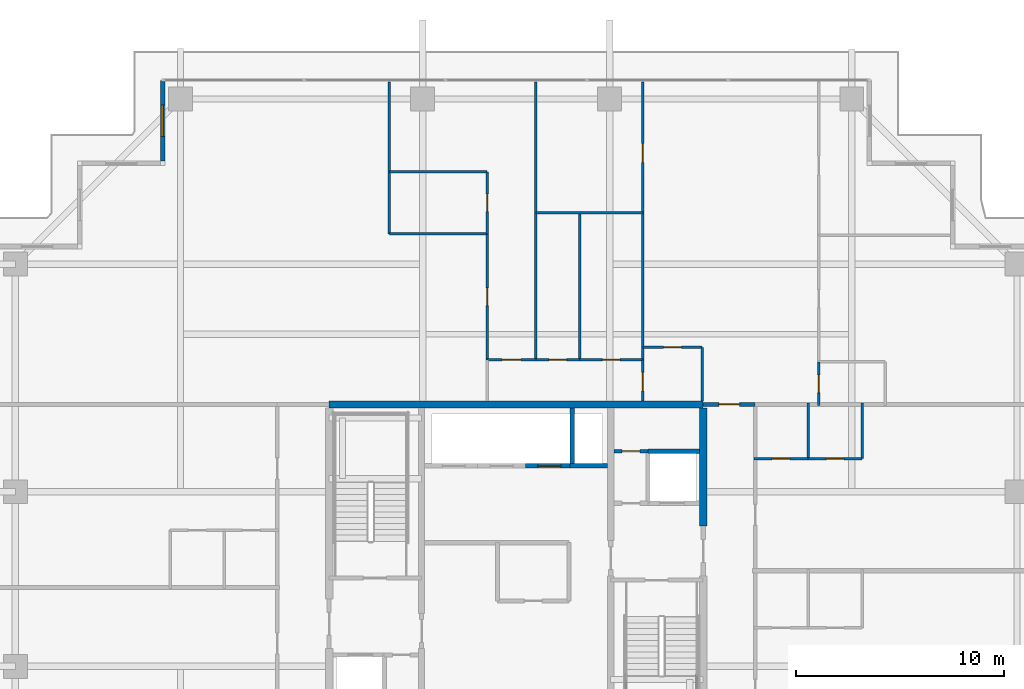
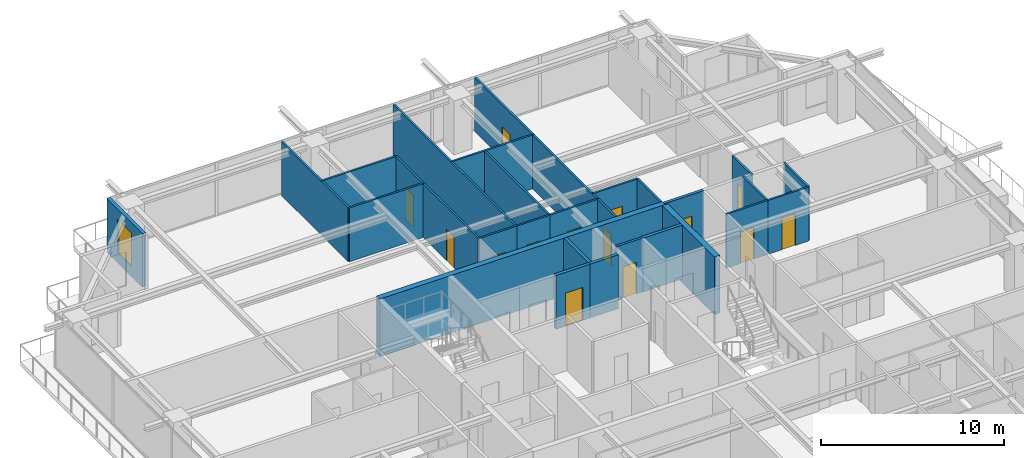
# One storey, part 29 of 37: 30 walls, 14 doors, 1 window, 15 openings.
"""IFC4 building model written with IfcOpenShell, lengths in metres."""

from ifc_helpers import new_model, si_unit, direction, frame, frame_2d, origin, place, context, subcontext, project, spatial, rectangle, extrude, source, transform, mapped, material, layer, layer_set, type_object, element, fill, save


model = new_model("IFC4")

# Units and contexts
model_context = context("Model", 3, precision=1e-05, world=origin(), true_north=direction((0.0, 1.0)))
body_context = subcontext(model_context, "Body", "Model", "MODEL_VIEW")
ifc_project = project(units=[si_unit("LENGTHUNIT", "METRE"), si_unit("AREAUNIT", "SQUARE_METRE"), si_unit("VOLUMEUNIT", "CUBIC_METRE"), si_unit("PLANEANGLEUNIT", "RADIAN"), si_unit("MASSUNIT", "GRAM", prefix="KILO")], contexts=[model_context])

# Site, building, storey
site_placement = place(None, origin())
site = spatial("IfcSite", under=ifc_project, at=site_placement, CompositionType="ELEMENT")
building_placement = place(site_placement, origin())
building = spatial("IfcBuilding", under=site, at=building_placement, Name="Serunith Strait Residences", CompositionType="ELEMENT")
storey_placement = place(building_placement, frame((0.0, 0.0, 260.5)))
storey = spatial("IfcBuildingStorey", under=building, at=storey_placement, Name="L65", CompositionType="ELEMENT", Elevation=260.5)

# Wall, opening, window
ifc_material_1 = material(Name="Pale-Champagne Aluminium Insulated Panel", Category="aluminium")
ifc_layer_1 = layer(ifc_material_1, 0.219970703125, Name="Pale-Champagne Aluminium Insulated Panel")
ifc_layer_set_1 = layer_set([ifc_layer_1], Name="Pale-Champagne Aluminium Insulated Panel")
wall_type_1 = type_object("IfcWallType", Name="EW-ALUM-220", PredefinedType="ELEMENTEDWALL", material=ifc_layer_set_1)
wall_1_placement = place(storey_placement, frame((15.39990234375, 49.199951171875, 0.0), z_axis=(0.0, 0.0, 1.0), x_axis=(0.0, -1.0, 0.0)))
wall_1 = element("IfcWall", 1, at=wall_1_placement, inside=storey, type_object=wall_type_1, Name="L65 Girih Serrated Corner Wall 12", PredefinedType="ELEMENTEDWALL", context=body_context, shape_type="SweptSolid", body=[
    extrude(rectangle(XDim=3.889892578125, YDim=0.219970703125, at=frame_2d((1.94482421875, 0.0))), origin(), (0.0, 0.0, 1.0), 3.574951171875),
])
opening_1_placement = place(wall_1_placement, frame((1.195068359375, 0.0, 0.64990234375)))
opening_1 = element("IfcOpeningElement", 2, at=opening_1_placement, cuts=wall_1, Name="Opening W-05", PredefinedType="OPENING", context=body_context, shape_type="SweptSolid", body=[
    extrude(rectangle(XDim=1.5, YDim=2.25, at=frame_2d((0.75, 1.125))), frame((0.0, 0.1201171875, 0.0), z_axis=(0.0, -1.0, 0.0), x_axis=(1.0, 0.0, 0.0)), (0.0, 0.0, 1.0), 0.239990234375),
])
ifc_material_2 = material(Name="Ceramic-Fritted Operable Aluminium Window Glass", Category="aluminium")
window_type = type_object("IfcWindowType", Name="WIN-C5", PartitioningType="DOUBLE_PANEL_VERTICAL", PredefinedType="WINDOW", material=ifc_material_2)
shared_shape_1 = source(origin(), body_context, "Body", "SweptSolid", [
    extrude(rectangle(XDim=1.5, YDim=2.25, at=frame_2d((0.75, 1.125))), frame((0.0, 0.030029296875, 0.0), z_axis=(0.0, -1.0, 0.0), x_axis=(1.0, 0.0, 0.0)), (0.0, 0.0, 1.0), 0.06005859375),
])
window_placement = place(opening_1_placement, origin())
window = element("IfcWindow", 3, at=window_placement, inside=storey, type_object=window_type, Name="L65 Corner Operable Fritted Window 12", OverallHeight=2.25, OverallWidth=1.5, PartitioningType="SINGLE_PANEL", PredefinedType="WINDOW", context=body_context, shape_type="MappedRepresentation", body=[
    mapped(shared_shape_1, transform((0.0, 0.0, 0.0), scale=1.0)),
])
fill(opening_1, window)

# Wall, opening, door
ifc_material_3 = material(Name="Fire-rated masonry service closet wall", Category="masonry")
ifc_layer_2 = layer(ifc_material_3, 0.14990234375, Name="Fire-rated masonry service closet wall")
ifc_layer_set_2 = layer_set([ifc_layer_2], Name="Fire-rated masonry service closet wall")
wall_type_2 = type_object("IfcWallType", Name="IW-BOH-150", PredefinedType="PARTITIONING", material=ifc_layer_set_2)
wall_2_placement = place(storey_placement, frame((37.10009765625, 31.35009765625, 0.0), z_axis=(0.0, 0.0, 1.0), x_axis=(1.0, 0.0, 0.0)))
wall_2 = element("IfcWall", 4, at=wall_2_placement, inside=storey, type_object=wall_type_2, Name="L65 Partition Wall 011", PredefinedType="PARTITIONING", context=body_context, shape_type="SweptSolid", body=[
    extrude(rectangle(XDim=1.64794921875, YDim=0.14990234375, at=frame_2d((0.823974609375, 0.0))), origin(), (0.0, 0.0, 1.0), 3.590087890625),
])
opening_2_placement = place(wall_2_placement, frame((0.39892578125, 0.0, 0.0)))
opening_2 = element("IfcOpeningElement", 5, at=opening_2_placement, cuts=wall_2, Name="Opening FD-850", PredefinedType="OPENING", context=body_context, shape_type="SweptSolid", body=[
    extrude(rectangle(XDim=0.85009765625, YDim=2.10009765625, at=frame_2d((0.425048828125, 1.050048828125))), frame((0.0, 0.0849609375, 0.0), z_axis=(0.0, -1.0, 0.0), x_axis=(1.0, 0.0, 0.0)), (0.0, 0.0, 1.0), 0.169921875),
])
ifc_material_4 = material(Name="Powder-coated steel service closet door", Category="steel")
door_type_1 = type_object("IfcDoorType", Name="FD-BOH-850", OperationType="NOTDEFINED", PredefinedType="DOOR", material=ifc_material_4)
shared_shape_2 = source(origin(), body_context, "Body", "SweptSolid", [
    extrude(rectangle(XDim=0.85009765625, YDim=2.10009765625, at=frame_2d((0.425048828125, 1.050048828125))), frame((0.0, 0.02490234375, 0.0), z_axis=(0.0, -1.0, 0.0), x_axis=(1.0, 0.0, 0.0)), (0.0, 0.0, 1.0), 0.050048828125),
])
door_1_placement = place(opening_2_placement, origin())
door_1 = element("IfcDoor", 6, at=door_1_placement, inside=storey, type_object=door_type_1, Name="L65 Spare Parts Store Door", OperationType="SINGLE_SWING_RIGHT", OverallHeight=2.10009765625, OverallWidth=0.85009765625, PredefinedType="DOOR", context=body_context, shape_type="MappedRepresentation", body=[
    mapped(shared_shape_2, transform((0.0, 0.0, 0.0), scale=1.0)),
])
fill(opening_2, door_1)

ifc_material_5 = material(Name="Fire-rated acoustic gypsum partition")
ifc_layer_3 = layer(ifc_material_5, 0.179931640625, Name="Fire-rated acoustic gypsum partition")
ifc_layer_set_3 = layer_set([ifc_layer_3], Name="Fire-rated acoustic gypsum partition")
wall_type_3 = type_object("IfcWallType", Name="IW-CORR-180", PredefinedType="PARTITIONING", material=ifc_layer_set_3)
wall_3_placement = place(storey_placement, frame((41.402099609375, 33.60009765625, 0.0), z_axis=(0.0, 0.0, 1.0), x_axis=(1.0, 0.0, 0.0)))
wall_3 = element("IfcWall", 7, at=wall_3_placement, inside=storey, type_object=wall_type_3, Name="L65 Partition Wall 030", PredefinedType="PARTITIONING", context=body_context, shape_type="SweptSolid", body=[
    extrude(rectangle(XDim=2.495849609375, YDim=0.179931640625, at=frame_2d((1.248046875, 0.0))), origin(), (0.0, 0.0, 1.0), 3.590087890625),
])
opening_3_placement = place(wall_3_placement, frame((0.748046875, 0.0, 0.0)))
opening_3 = element("IfcOpeningElement", 8, at=opening_3_placement, cuts=wall_3, Name="Opening D-APT1000", PredefinedType="OPENING", context=body_context, shape_type="SweptSolid", body=[
    extrude(rectangle(XDim=1.0, YDim=2.14990234375, at=frame_2d((0.5, 1.074951171875))), frame((0.0, 0.10009765625, 0.0), z_axis=(0.0, -1.0, 0.0), x_axis=(1.0, 0.0, 0.0)), (0.0, 0.0, 1.0), 0.199951171875),
])
ifc_material_6 = material(Name="Solid timber engineered fire door", Category="wood")
door_type_2 = type_object("IfcDoorType", Name="ID-APT-1000", OperationType="NOTDEFINED", PredefinedType="DOOR", material=ifc_material_6)
shared_shape_3 = source(origin(), body_context, "Body", "SweptSolid", [
    extrude(rectangle(XDim=1.0, YDim=2.14990234375, at=frame_2d((0.5, 1.074951171875))), frame((0.0, 0.02490234375, 0.0), z_axis=(0.0, -1.0, 0.0), x_axis=(1.0, 0.0, 0.0)), (0.0, 0.0, 1.0), 0.050048828125),
])
door_2_placement = place(opening_3_placement, origin())
door_2 = element("IfcDoor", 9, at=door_2_placement, inside=storey, type_object=door_type_2, Name="L65 Unit 03 Entrance Door", OperationType="SINGLE_SWING_RIGHT", OverallHeight=2.14990234375, OverallWidth=1.0, PredefinedType="DOOR", context=body_context, shape_type="MappedRepresentation", body=[
    mapped(shared_shape_3, transform((0.0, 0.0, 0.0), scale=1.0)),
])
fill(opening_3, door_2)

ifc_material_7 = material(Name="Lightweight steel-stud gypsum partition", Category="steel")
ifc_layer_4 = layer(ifc_material_7, 0.1201171875, Name="Lightweight steel-stud gypsum partition")
ifc_layer_set_4 = layer_set([ifc_layer_4], Name="Lightweight steel-stud gypsum partition")
wall_type_4 = type_object("IfcWallType", Name="IW-PART-120", PredefinedType="PARTITIONING", material=ifc_layer_set_4)
wall_4_placement = place(storey_placement, frame((38.5, 36.35009765625, 0.0), z_axis=(0.0, 0.0, 1.0), x_axis=(1.0, 0.0, 0.0)))
wall_4 = element("IfcWall", 10, at=wall_4_placement, inside=storey, type_object=wall_type_4, Name="L65 Partition Wall 059", PredefinedType="PARTITIONING", context=body_context, shape_type="SweptSolid", body=[
    extrude(rectangle(XDim=2.85009765625, YDim=0.1201171875, at=frame_2d((1.425048828125, 0.0))), origin(), (0.0, 0.0, 1.0), 3.590087890625),
])
opening_4_placement = place(wall_4_placement, frame((1.0, 0.0, 0.0)))
opening_4 = element("IfcOpeningElement", 11, at=opening_4_placement, cuts=wall_4, Name="Opening D-RM850", PredefinedType="OPENING", context=body_context, shape_type="SweptSolid", body=[
    extrude(rectangle(XDim=0.85009765625, YDim=2.10009765625, at=frame_2d((0.425048828125, 1.050048828125))), frame((0.0, 0.070068359375, 0.0), z_axis=(0.0, -1.0, 0.0), x_axis=(1.0, 0.0, 0.0)), (0.0, 0.0, 1.0), 0.14013671875),
])
ifc_material_8 = material(Name="Engineered timber flush study and kitchen door", Category="wood")
door_type_3 = type_object("IfcDoorType", Name="ID-ROOM-850", OperationType="NOTDEFINED", PredefinedType="DOOR", material=ifc_material_8)
door_3_placement = place(opening_4_placement, origin())
door_3 = element("IfcDoor", 12, at=door_3_placement, inside=storey, type_object=door_type_3, Name="L65 Kitchen 6503 Door", OperationType="SINGLE_SWING_LEFT", OverallHeight=2.10009765625, OverallWidth=0.85009765625, PredefinedType="DOOR", context=body_context, shape_type="MappedRepresentation", body=[
    mapped(shared_shape_2, transform((0.0, 0.0, 0.0), scale=1.0)),
])
fill(opening_4, door_3)

# Wall
wall_5_placement = place(storey_placement, frame((41.35009765625, 36.35009765625, 0.0), z_axis=(0.0, 0.0, 1.0), x_axis=(0.0, -1.0, 0.0)))
element("IfcWall", 13, at=wall_5_placement, inside=storey, type_object=wall_type_4, Name="L65 Partition Wall 060", PredefinedType="PARTITIONING", context=body_context, shape_type="SweptSolid", body=[
    extrude(rectangle(XDim=2.5751953125, YDim=0.1201171875, at=frame_2d((1.28759765625, 0.0))), origin(), (0.0, 0.0, 1.0), 3.590087890625),
])

# Wall, opening, door
wall_6_placement = place(storey_placement, frame((38.5, 35.75, 0.0), z_axis=(0.0, 0.0, 1.0), x_axis=(0.0, -1.0, 0.0)))
wall_6 = element("IfcWall", 14, at=wall_6_placement, inside=storey, type_object=wall_type_4, Name="L65 Partition Wall 061", PredefinedType="PARTITIONING", context=body_context, shape_type="SweptSolid", body=[
    extrude(rectangle(XDim=1.97509765625, YDim=0.1201171875, at=frame_2d((0.987548828125, 0.0))), origin(), (0.0, 0.0, 1.0), 3.590087890625),
])
opening_5_placement = place(wall_6_placement, frame((0.60107421875, 0.0, 0.0)))
opening_5 = element("IfcOpeningElement", 15, at=opening_5_placement, cuts=wall_6, Name="Opening D-RM900", PredefinedType="OPENING", context=body_context, shape_type="SweptSolid", body=[
    extrude(rectangle(XDim=0.89990234375, YDim=2.10009765625, at=frame_2d((0.449951171875, 1.050048828125))), frame((0.0, 0.070068359375, 0.0), z_axis=(0.0, -1.0, 0.0), x_axis=(1.0, 0.0, 0.0)), (0.0, 0.0, 1.0), 0.14013671875),
])
ifc_material_9 = material(Name="Engineered timber flush bedroom door", Category="wood")
door_type_4 = type_object("IfcDoorType", Name="ID-ROOM-900", OperationType="NOTDEFINED", PredefinedType="DOOR", material=ifc_material_9)
shared_shape_4 = source(origin(), body_context, "Body", "SweptSolid", [
    extrude(rectangle(XDim=0.89990234375, YDim=2.10009765625, at=frame_2d((0.449951171875, 1.050048828125))), frame((0.0, 0.02490234375, 0.0), z_axis=(0.0, -1.0, 0.0), x_axis=(1.0, 0.0, 0.0)), (0.0, 0.0, 1.0), 0.050048828125),
])
door_4_placement = place(opening_5_placement, origin())
door_4 = element("IfcDoor", 16, at=door_4_placement, inside=storey, type_object=door_type_4, Name="L65 Hall W 6503 Door", OperationType="SINGLE_SWING_RIGHT", OverallHeight=2.10009765625, OverallWidth=0.89990234375, PredefinedType="DOOR", context=body_context, shape_type="MappedRepresentation", body=[
    mapped(shared_shape_4, transform((0.0, 0.0, 0.0), scale=1.0)),
])
fill(opening_5, door_4)

wall_7_placement = place(storey_placement, frame((38.5, 49.10498046875, 0.0), z_axis=(0.0, 0.0, 1.0), x_axis=(0.0, -1.0, 0.0)))
wall_7 = element("IfcWall", 17, at=wall_7_placement, inside=storey, type_object=wall_type_4, Name="L65 Partition Wall 062", PredefinedType="PARTITIONING", context=body_context, shape_type="SweptSolid", body=[
    extrude(rectangle(XDim=6.27490234375, YDim=0.1201171875, at=frame_2d((3.137451171875, 0.0))), origin(), (0.0, 0.0, 1.0), 3.590087890625),
])
opening_6_placement = place(wall_7_placement, frame((2.9560546875, 0.0, 0.0)))
opening_6 = element("IfcOpeningElement", 18, at=opening_6_placement, cuts=wall_7, Name="Opening D-RM900", PredefinedType="OPENING", context=body_context, shape_type="SweptSolid", body=[
    extrude(rectangle(XDim=0.89990234375, YDim=2.10009765625, at=frame_2d((0.449951171875, 1.050048828125))), frame((0.0, 0.070068359375, 0.0), z_axis=(0.0, -1.0, 0.0), x_axis=(1.0, 0.0, 0.0)), (0.0, 0.0, 1.0), 0.14013671875),
])
door_5_placement = place(opening_6_placement, origin())
door_5 = element("IfcDoor", 19, at=door_5_placement, inside=storey, type_object=door_type_4, Name="L65 Formal Dining Room 1 6503 Door", OperationType="SINGLE_SWING_LEFT", OverallHeight=2.10009765625, OverallWidth=0.89990234375, PredefinedType="DOOR", context=body_context, shape_type="MappedRepresentation", body=[
    mapped(shared_shape_4, transform((0.0, 0.0, 0.0), scale=1.0)),
])
fill(opening_6, door_5)

# Walls
wall_8_placement = place(storey_placement, frame((38.5, 42.827880859375, 0.0), z_axis=(0.0, 0.0, 1.0), x_axis=(0.0, -1.0, 0.0)))
element("IfcWall", 20, at=wall_8_placement, inside=storey, type_object=wall_type_4, Name="L65 Partition Wall 063", PredefinedType="PARTITIONING", context=body_context, shape_type="SweptSolid", body=[
    extrude(rectangle(XDim=7.075927734375, YDim=0.1201171875, at=frame_2d((3.5380859375, 0.0))), origin(), (0.0, 0.0, 1.0), 3.590087890625),
])
wall_9_placement = place(storey_placement, frame((33.35009765625, 42.830078125, 0.0), z_axis=(0.0, 0.0, 1.0), x_axis=(1.0, 0.0, 0.0)))
element("IfcWall", 21, at=wall_9_placement, inside=storey, type_object=wall_type_4, Name="L65 Partition Wall 064", PredefinedType="PARTITIONING", context=body_context, shape_type="SweptSolid", body=[
    extrude(rectangle(XDim=5.14990234375, YDim=0.1201171875, at=frame_2d((2.574951171875, 0.0))), origin(), (0.0, 0.0, 1.0), 3.590087890625),
])
wall_10_placement = place(storey_placement, frame((33.35009765625, 49.10498046875, 0.0), z_axis=(0.0, 0.0, 1.0), x_axis=(0.0, -1.0, 0.0)))
element("IfcWall", 22, at=wall_10_placement, inside=storey, type_object=wall_type_4, Name="L65 Partition Wall 065", PredefinedType="PARTITIONING", context=body_context, shape_type="SweptSolid", body=[
    extrude(rectangle(XDim=13.35498046875, YDim=0.1201171875, at=frame_2d((6.677490234375, 0.0))), origin(), (0.0, 0.0, 1.0), 3.590087890625),
])
wall_11_placement = place(storey_placement, frame((35.449951171875, 42.830078125, 0.0), z_axis=(0.0, 0.0, 1.0), x_axis=(0.0, -1.0, 0.0)))
element("IfcWall", 23, at=wall_11_placement, inside=storey, type_object=wall_type_4, Name="L65 Partition Wall 066", PredefinedType="PARTITIONING", context=body_context, shape_type="SweptSolid", body=[
    extrude(rectangle(XDim=7.080078125, YDim=0.1201171875, at=frame_2d((3.5400390625, 0.0))), origin(), (0.0, 0.0, 1.0), 3.590087890625),
])

# Wall, opening, door
wall_12_placement = place(storey_placement, frame((33.35009765625, 35.75, 0.0), z_axis=(0.0, 0.0, 1.0), x_axis=(1.0, 0.0, 0.0)))
wall_12 = element("IfcWall", 24, at=wall_12_placement, inside=storey, type_object=wall_type_4, Name="L65 Partition Wall 067", PredefinedType="PARTITIONING", context=body_context, shape_type="SweptSolid", body=[
    extrude(rectangle(XDim=2.099853515625, YDim=0.1201171875, at=frame_2d((1.0498046875, 0.0))), origin(), (0.0, 0.0, 1.0), 3.590087890625),
])
opening_7_placement = place(wall_12_placement, frame((0.625, 0.0, 0.0)))
opening_7 = element("IfcOpeningElement", 25, at=opening_7_placement, cuts=wall_12, Name="Opening D-BTH850", PredefinedType="OPENING", context=body_context, shape_type="SweptSolid", body=[
    extrude(rectangle(XDim=0.85009765625, YDim=2.10009765625, at=frame_2d((0.425048828125, 1.050048828125))), frame((0.0, 0.070068359375, 0.0), z_axis=(0.0, -1.0, 0.0), x_axis=(1.0, 0.0, 0.0)), (0.0, 0.0, 1.0), 0.14013671875),
])
ifc_material_10 = material(Name="Moisture-resistant timber bathroom door", Category="wood")
door_type_5 = type_object("IfcDoorType", Name="ID-BATH-850", OperationType="NOTDEFINED", PredefinedType="DOOR", material=ifc_material_10)
door_6_placement = place(opening_7_placement, origin())
door_6 = element("IfcDoor", 26, at=door_6_placement, inside=storey, type_object=door_type_5, Name="L65 Bathroom 6503 Door", OperationType="SINGLE_SWING_RIGHT", OverallHeight=2.10009765625, OverallWidth=0.85009765625, PredefinedType="DOOR", context=body_context, shape_type="MappedRepresentation", body=[
    mapped(shared_shape_2, transform((0.0, 0.0, 0.0), scale=1.0)),
])
fill(opening_7, door_6)

wall_13_placement = place(storey_placement, frame((35.451904296875, 35.75, 0.0), z_axis=(0.0, 0.0, 1.0), x_axis=(1.0, 0.0, 0.0)))
wall_13 = element("IfcWall", 27, at=wall_13_placement, inside=storey, type_object=wall_type_4, Name="L65 Partition Wall 068", PredefinedType="PARTITIONING", context=body_context, shape_type="SweptSolid", body=[
    extrude(rectangle(XDim=3.048095703125, YDim=0.1201171875, at=frame_2d((1.52392578125, 0.0))), origin(), (0.0, 0.0, 1.0), 3.590087890625),
])
opening_8_placement = place(wall_13_placement, frame((1.09912109375, 0.0, 0.0)))
opening_8 = element("IfcOpeningElement", 28, at=opening_8_placement, cuts=wall_13, Name="Opening D-RM850", PredefinedType="OPENING", context=body_context, shape_type="SweptSolid", body=[
    extrude(rectangle(XDim=0.85009765625, YDim=2.10009765625, at=frame_2d((0.425048828125, 1.050048828125))), frame((0.0, 0.070068359375, 0.0), z_axis=(0.0, -1.0, 0.0), x_axis=(1.0, 0.0, 0.0)), (0.0, 0.0, 1.0), 0.14013671875),
])
door_7_placement = place(opening_8_placement, origin())
door_7 = element("IfcDoor", 29, at=door_7_placement, inside=storey, type_object=door_type_3, Name="L65 Formal Dining Room 6503 Door", OperationType="SINGLE_SWING_LEFT", OverallHeight=2.10009765625, OverallWidth=0.85009765625, PredefinedType="DOOR", context=body_context, shape_type="MappedRepresentation", body=[
    mapped(shared_shape_2, transform((0.0, 0.0, 0.0), scale=1.0)),
])
fill(opening_8, door_7)

wall_14_placement = place(storey_placement, frame((31.0, 35.75, 0.0), z_axis=(0.0, 0.0, 1.0), x_axis=(1.0, 0.0, 0.0)))
wall_14 = element("IfcWall", 30, at=wall_14_placement, inside=storey, type_object=wall_type_4, Name="L65 Partition Wall 069", PredefinedType="PARTITIONING", context=body_context, shape_type="SweptSolid", body=[
    extrude(rectangle(XDim=2.347900390625, YDim=0.1201171875, at=frame_2d((1.173828125, 0.0))), origin(), (0.0, 0.0, 1.0), 3.590087890625),
])
opening_9_placement = place(wall_14_placement, frame((0.72412109375, 0.0, 0.0)))
opening_9 = element("IfcOpeningElement", 31, at=opening_9_placement, cuts=wall_14, Name="Opening D-RM900", PredefinedType="OPENING", context=body_context, shape_type="SweptSolid", body=[
    extrude(rectangle(XDim=0.89990234375, YDim=2.10009765625, at=frame_2d((0.449951171875, 1.050048828125))), frame((0.0, 0.070068359375, 0.0), z_axis=(0.0, -1.0, 0.0), x_axis=(1.0, 0.0, 0.0)), (0.0, 0.0, 1.0), 0.14013671875),
])
door_8_placement = place(opening_9_placement, origin())
door_8 = element("IfcDoor", 32, at=door_8_placement, inside=storey, type_object=door_type_4, Name="L65 Master Bedroom W 6503 Door", OperationType="SINGLE_SWING_RIGHT", OverallHeight=2.10009765625, OverallWidth=0.89990234375, PredefinedType="DOOR", context=body_context, shape_type="MappedRepresentation", body=[
    mapped(shared_shape_4, transform((0.0, 0.0, 0.0), scale=1.0)),
])
fill(opening_9, door_8)

# Walls
wall_15_placement = place(storey_placement, frame((26.300048828125, 44.791015625, 0.0), z_axis=(0.0, 0.0, 1.0), x_axis=(1.0, 0.0, 0.0)))
element("IfcWall", 33, at=wall_15_placement, inside=storey, type_object=wall_type_4, Name="L65 Partition Wall 070", PredefinedType="PARTITIONING", context=body_context, shape_type="SweptSolid", body=[
    extrude(rectangle(XDim=4.699951171875, YDim=0.1201171875, at=frame_2d((2.35009765625, 0.0))), origin(), (0.0, 0.0, 1.0), 3.590087890625),
])
wall_16_placement = place(storey_placement, frame((26.300048828125, 49.10498046875, 0.0), z_axis=(0.0, 0.0, 1.0), x_axis=(0.0, -1.0, 0.0)))
element("IfcWall", 34, at=wall_16_placement, inside=storey, type_object=wall_type_4, Name="L65 Partition Wall 071", PredefinedType="PARTITIONING", context=body_context, shape_type="SweptSolid", body=[
    extrude(rectangle(XDim=7.29296875, YDim=0.1201171875, at=frame_2d((3.646484375, 0.0))), origin(), (0.0, 0.0, 1.0), 3.590087890625),
])
wall_17_placement = place(storey_placement, frame((26.300048828125, 41.81201171875, 0.0), z_axis=(0.0, 0.0, 1.0), x_axis=(1.0, 0.0, 0.0)))
element("IfcWall", 35, at=wall_17_placement, inside=storey, type_object=wall_type_4, Name="L65 Partition Wall 072", PredefinedType="PARTITIONING", context=body_context, shape_type="SweptSolid", body=[
    extrude(rectangle(XDim=4.699951171875, YDim=0.1201171875, at=frame_2d((2.35009765625, 0.0))), origin(), (0.0, 0.0, 1.0), 3.590087890625),
])

# Wall, opening, door
wall_18_placement = place(storey_placement, frame((31.0, 44.791015625, 0.0), z_axis=(0.0, 0.0, 1.0), x_axis=(0.0, -1.0, 0.0)))
wall_18 = element("IfcWall", 36, at=wall_18_placement, inside=storey, type_object=wall_type_4, Name="L65 Partition Wall 073", PredefinedType="PARTITIONING", context=body_context, shape_type="SweptSolid", body=[
    extrude(rectangle(XDim=2.97900390625, YDim=0.1201171875, at=frame_2d((1.489501953125, 0.0))), origin(), (0.0, 0.0, 1.0), 3.590087890625),
])
opening_10_placement = place(wall_18_placement, frame((1.06396484375, 0.0, 0.0)))
opening_10 = element("IfcOpeningElement", 37, at=opening_10_placement, cuts=wall_18, Name="Opening D-BTH850", PredefinedType="OPENING", context=body_context, shape_type="SweptSolid", body=[
    extrude(rectangle(XDim=0.85009765625, YDim=2.10009765625, at=frame_2d((0.425048828125, 1.050048828125))), frame((0.0, 0.070068359375, 0.0), z_axis=(0.0, -1.0, 0.0), x_axis=(1.0, 0.0, 0.0)), (0.0, 0.0, 1.0), 0.14013671875),
])
door_9_placement = place(opening_10_placement, origin())
door_9 = element("IfcDoor", 38, at=door_9_placement, inside=storey, type_object=door_type_5, Name="L65 En-suite Bathroom W 6503 Door", OperationType="SINGLE_SWING_LEFT", OverallHeight=2.10009765625, OverallWidth=0.85009765625, PredefinedType="DOOR", context=body_context, shape_type="MappedRepresentation", body=[
    mapped(shared_shape_2, transform((0.0, 0.0, 0.0), scale=1.0)),
])
fill(opening_10, door_9)

wall_19_placement = place(storey_placement, frame((31.0, 41.81005859375, 0.0), z_axis=(0.0, 0.0, 1.0), x_axis=(0.0, -1.0, 0.0)))
wall_19 = element("IfcWall", 39, at=wall_19_placement, inside=storey, type_object=wall_type_4, Name="L65 Partition Wall 074", PredefinedType="PARTITIONING", context=body_context, shape_type="SweptSolid", body=[
    extrude(rectangle(XDim=6.06005859375, YDim=0.1201171875, at=frame_2d((3.030029296875, 0.0))), origin(), (0.0, 0.0, 1.0), 3.590087890625),
])
opening_11_placement = place(wall_19_placement, frame((2.60498046875, 0.0, 0.0)))
opening_11 = element("IfcOpeningElement", 40, at=opening_11_placement, cuts=wall_19, Name="Opening D-RM850", PredefinedType="OPENING", context=body_context, shape_type="SweptSolid", body=[
    extrude(rectangle(XDim=0.85009765625, YDim=2.10009765625, at=frame_2d((0.425048828125, 1.050048828125))), frame((0.0, 0.070068359375, 0.0), z_axis=(0.0, -1.0, 0.0), x_axis=(1.0, 0.0, 0.0)), (0.0, 0.0, 1.0), 0.14013671875),
])
door_10_placement = place(opening_11_placement, origin())
door_10 = element("IfcDoor", 41, at=door_10_placement, inside=storey, type_object=door_type_3, Name="L65 Wardrobe W 6503 Door", OperationType="SINGLE_SWING_RIGHT", OverallHeight=2.10009765625, OverallWidth=0.85009765625, PredefinedType="DOOR", context=body_context, shape_type="MappedRepresentation", body=[
    mapped(shared_shape_2, transform((0.0, 0.0, 0.0), scale=1.0)),
])
fill(opening_11, door_10)

wall_20_placement = place(storey_placement, frame((46.949951171875, 35.64794921875, 0.0), z_axis=(0.0, 0.0, 1.0), x_axis=(0.0, -1.0, 0.0)))
wall_20 = element("IfcWall", 42, at=wall_20_placement, inside=storey, type_object=wall_type_4, Name="L65 Partition Wall 081", PredefinedType="PARTITIONING", context=body_context, shape_type="SweptSolid", body=[
    extrude(rectangle(XDim=2.10791015625, YDim=0.1201171875, at=frame_2d((1.053955078125, 0.0))), origin(), (0.0, 0.0, 1.0), 3.590087890625),
])
opening_12_placement = place(wall_20_placement, frame((0.62890625, 0.0, 0.0)))
opening_12 = element("IfcOpeningElement", 43, at=opening_12_placement, cuts=wall_20, Name="Opening D-BTH850", PredefinedType="OPENING", context=body_context, shape_type="SweptSolid", body=[
    extrude(rectangle(XDim=0.85009765625, YDim=2.10009765625, at=frame_2d((0.425048828125, 1.050048828125))), frame((0.0, 0.070068359375, 0.0), z_axis=(0.0, -1.0, 0.0), x_axis=(1.0, 0.0, 0.0)), (0.0, 0.0, 1.0), 0.14013671875),
])
door_11_placement = place(opening_12_placement, origin())
door_11 = element("IfcDoor", 44, at=door_11_placement, inside=storey, type_object=door_type_5, Name="L65 Bathroom 6503 Door", OperationType="SINGLE_SWING_LEFT", OverallHeight=2.10009765625, OverallWidth=0.85009765625, PredefinedType="DOOR", context=body_context, shape_type="MappedRepresentation", body=[
    mapped(shared_shape_2, transform((0.0, 0.0, 0.0), scale=1.0)),
])
fill(opening_12, door_11)

wall_21_placement = place(storey_placement, frame((49.050048828125, 31.0, 0.0), z_axis=(0.0, 0.0, 1.0), x_axis=(-1.0, 0.0, 0.0)))
wall_21 = element("IfcWall", 45, at=wall_21_placement, inside=storey, type_object=wall_type_4, Name="L65 Partition Wall 094", PredefinedType="PARTITIONING", context=body_context, shape_type="SweptSolid", body=[
    extrude(rectangle(XDim=2.60009765625, YDim=0.1201171875, at=frame_2d((1.300048828125, 0.0))), origin(), (0.0, 0.0, 1.0), 3.590087890625),
])
opening_13_placement = place(wall_21_placement, frame((0.875, 0.0, 0.0)))
opening_13 = element("IfcOpeningElement", 46, at=opening_13_placement, cuts=wall_21, Name="Opening D-RM850", PredefinedType="OPENING", context=body_context, shape_type="SweptSolid", body=[
    extrude(rectangle(XDim=0.85009765625, YDim=2.10009765625, at=frame_2d((0.425048828125, 1.050048828125))), frame((0.0, 0.070068359375, 0.0), z_axis=(0.0, -1.0, 0.0), x_axis=(1.0, 0.0, 0.0)), (0.0, 0.0, 1.0), 0.14013671875),
])
door_12_placement = place(opening_13_placement, origin())
door_12 = element("IfcDoor", 47, at=door_12_placement, inside=storey, type_object=door_type_3, Name="L65 Kitchen 6507 Door", OperationType="SINGLE_SWING_RIGHT", OverallHeight=2.10009765625, OverallWidth=0.85009765625, PredefinedType="DOOR", context=body_context, shape_type="MappedRepresentation", body=[
    mapped(shared_shape_2, transform((0.0, 0.0, 0.0), scale=1.0)),
])
fill(opening_13, door_12)

wall_22_placement = place(storey_placement, frame((46.447998046875, 31.0, 0.0), z_axis=(0.0, 0.0, 1.0), x_axis=(-1.0, 0.0, 0.0)))
wall_22 = element("IfcWall", 48, at=wall_22_placement, inside=storey, type_object=wall_type_4, Name="L65 Partition Wall 095", PredefinedType="PARTITIONING", context=body_context, shape_type="SweptSolid", body=[
    extrude(rectangle(XDim=2.60791015625, YDim=0.1201171875, at=frame_2d((1.303955078125, 0.0))), origin(), (0.0, 0.0, 1.0), 3.590087890625),
])
opening_14_placement = place(wall_22_placement, frame((0.87890625, 0.0, 0.0)))
opening_14 = element("IfcOpeningElement", 49, at=opening_14_placement, cuts=wall_22, Name="Opening D-BTH850", PredefinedType="OPENING", context=body_context, shape_type="SweptSolid", body=[
    extrude(rectangle(XDim=0.85009765625, YDim=2.10009765625, at=frame_2d((0.425048828125, 1.050048828125))), frame((0.0, 0.070068359375, 0.0), z_axis=(0.0, -1.0, 0.0), x_axis=(1.0, 0.0, 0.0)), (0.0, 0.0, 1.0), 0.14013671875),
])
door_13_placement = place(opening_14_placement, origin())
door_13 = element("IfcDoor", 50, at=door_13_placement, inside=storey, type_object=door_type_5, Name="L65 Bathroom 6507 Door", OperationType="SINGLE_SWING_LEFT", OverallHeight=2.10009765625, OverallWidth=0.85009765625, PredefinedType="DOOR", context=body_context, shape_type="MappedRepresentation", body=[
    mapped(shared_shape_2, transform((0.0, 0.0, 0.0), scale=1.0)),
])
fill(opening_14, door_13)

# Walls
for number, where, z_axis, x_axis, name in (
    (51, (46.449951171875, 31.0, 0.0), (0.0, 0.0, 1.0), (0.0, 1.0, 0.0), "L65 Partition Wall 096"),
    (52, (49.050048828125, 31.0, 0.0), (0.0, 0.0, 1.0), (0.0, 1.0, 0.0), "L65 Partition Wall 097"),
):
    element("IfcWall", number, at=place(storey_placement, frame(where, z_axis=z_axis, x_axis=x_axis)), inside=storey, type_object=wall_type_4, Name=name, PredefinedType="PARTITIONING", context=body_context, shape_type="SweptSolid", body=[
        extrude(rectangle(XDim=2.659912109375, YDim=0.1201171875, at=frame_2d((1.330078125, 0.0))), origin(), (0.0, 0.0, 1.0), 3.590087890625),
    ])

# Wall, opening, door
ifc_material_11 = material(Name="Autoclaved aerated concrete blockwork", Category="masonry")
ifc_layer_5 = layer(ifc_material_11, 0.199951171875, Name="Autoclaved aerated concrete blockwork")
ifc_layer_set_5 = layer_set([ifc_layer_5], Name="Autoclaved aerated concrete blockwork")
wall_type_5 = type_object("IfcWallType", Name="IW-SHAFT-200", PredefinedType="STANDARD", material=ifc_layer_set_5)
wall_23_placement = place(storey_placement, frame((32.85009765625, 30.64990234375, 0.0), z_axis=(0.0, 0.0, 1.0), x_axis=(1.0, 0.0, 0.0)))
wall_23 = element("IfcWall", 53, at=wall_23_placement, inside=storey, type_object=wall_type_5, Name="L65 PL-9 South Shaft Wall", PredefinedType="STANDARD", context=body_context, shape_type="SweptSolid", body=[
    extrude(rectangle(XDim=2.14990234375, YDim=0.199951171875, at=frame_2d((1.074951171875, 0.0))), origin(), (0.0, 0.0, 1.0), 3.590087890625),
])
opening_15_placement = place(wall_23_placement, frame((0.60009765625, 0.0, 0.0)))
opening_15 = element("IfcOpeningElement", 54, at=opening_15_placement, cuts=wall_23, Name="Opening LD-1100", PredefinedType="OPENING", context=body_context, shape_type="SweptSolid", body=[
    extrude(rectangle(XDim=1.10009765625, YDim=2.199951171875, at=frame_2d((0.550048828125, 1.10009765625))), frame((0.0, 0.10986328125, 0.0), z_axis=(0.0, -1.0, 0.0), x_axis=(1.0, 0.0, 0.0)), (0.0, 0.0, 1.0), 0.219970703125),
])
ifc_material_12 = material(Name="Pale-champagne stainless landing door")
door_type_6 = type_object("IfcDoorType", Name="LD-LIFT-1100", OperationType="DOUBLE_DOOR_SLIDING", PredefinedType="DOOR", material=ifc_material_12)
shared_shape_5 = source(origin(), body_context, "Body", "SweptSolid", [
    extrude(rectangle(XDim=1.10009765625, YDim=2.199951171875, at=frame_2d((0.550048828125, 1.10009765625))), frame((0.0, 0.02490234375, 0.0), z_axis=(0.0, -1.0, 0.0), x_axis=(1.0, 0.0, 0.0)), (0.0, 0.0, 1.0), 0.050048828125),
])
door_14_placement = place(opening_15_placement, origin())
door_14 = element("IfcDoor", 55, at=door_14_placement, inside=storey, type_object=door_type_6, Name="L65 PL-9 Landing Door", OperationType="DOUBLE_DOOR_SLIDING", OverallHeight=2.199951171875, OverallWidth=1.10009765625, PredefinedType="DOOR", context=body_context, shape_type="MappedRepresentation", body=[
    mapped(shared_shape_5, transform((0.0, 0.0, 0.0), scale=1.0)),
])
fill(opening_15, door_14)

# Walls
wall_24_placement = place(storey_placement, frame((35.0, 30.64990234375, 0.0), z_axis=(0.0, 0.0, 1.0), x_axis=(1.0, 0.0, 0.0)))
element("IfcWall", 56, at=wall_24_placement, inside=storey, type_object=wall_type_5, Name="L65 SL-1 South Shaft Wall", PredefinedType="STANDARD", context=body_context, shape_type="SweptSolid", body=[
    extrude(rectangle(XDim=1.800048828125, YDim=0.199951171875, at=frame_2d((0.89990234375, 0.0))), origin(), (0.0, 0.0, 1.0), 3.590087890625),
])
wall_25_placement = place(storey_placement, frame((35.10009765625, 30.75, 0.0), z_axis=(0.0, 0.0, 1.0), x_axis=(0.0, 1.0, 0.0)))
element("IfcWall", 57, at=wall_25_placement, inside=storey, type_object=wall_type_5, Name="L65 SL-1 West Shaft Wall", PredefinedType="STANDARD", context=body_context, shape_type="SweptSolid", body=[
    extrude(rectangle(XDim=2.675048828125, YDim=0.199951171875, at=frame_2d((1.33740234375, 0.0))), origin(), (0.0, 0.0, 1.0), 3.590087890625),
])
wall_26_placement = place(storey_placement, frame((38.75, 31.35009765625, 0.0), z_axis=(0.0, 0.0, 1.0), x_axis=(1.0, 0.0, 0.0)))
element("IfcWall", 58, at=wall_26_placement, inside=storey, type_object=wall_type_5, Name="L65 Partition Wall 005", PredefinedType="STANDARD", context=body_context, shape_type="SweptSolid", body=[
    extrude(rectangle(XDim=2.47509765625, YDim=0.199951171875, at=frame_2d((1.237548828125, 0.0))), origin(), (0.0, 0.0, 1.0), 3.590087890625),
])
ifc_material_13 = material(Name="Concrete C60/75", Category="concrete")
ifc_layer_6 = layer(ifc_material_13, 0.35009765625, Name="Concrete C60/75")
ifc_layer_set_6 = layer_set([ifc_layer_6], Name="Concrete C60/75")
wall_type_6 = type_object("IfcWallType", Name="SW-350-C60", PredefinedType="SHEAR", material=ifc_layer_set_6)
wall_27_placement = place(storey_placement, frame((41.39990234375, 33.60009765625, -0.260009765625), z_axis=(0.0, 0.0, 1.0), x_axis=(-1.0, 0.0, 0.0)))
element("IfcWall", 59, at=wall_27_placement, inside=storey, type_object=wall_type_6, Name="L65 Core North Shear Wall", PredefinedType="SHEAR", context=body_context, shape_type="SweptSolid", body=[
    extrude(rectangle(XDim=18.0, YDim=0.35009765625, at=frame_2d((9.0, 0.0))), origin(), (0.0, 0.0, 1.0), 3.847900390625),
])
wall_28_placement = place(storey_placement, frame((41.39990234375, 27.75, -0.260009765625), z_axis=(0.0, 0.0, 1.0), x_axis=(0.0, 1.0, 0.0)))
element("IfcWall", 60, at=wall_28_placement, inside=storey, type_object=wall_type_6, Name="L65 Core East Shear Wall North Pier", PredefinedType="SHEAR", context=body_context, shape_type="SweptSolid", body=[
    extrude(rectangle(XDim=5.675048828125, YDim=0.35009765625, at=frame_2d((2.83740234375, 0.0))), origin(), (0.0, 0.0, 1.0), 3.847900390625),
])

save(model, "model.ifc")
